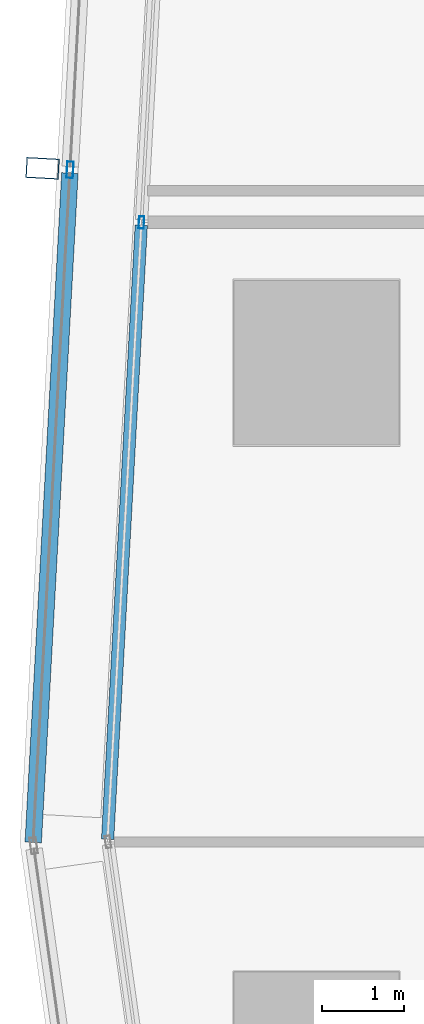
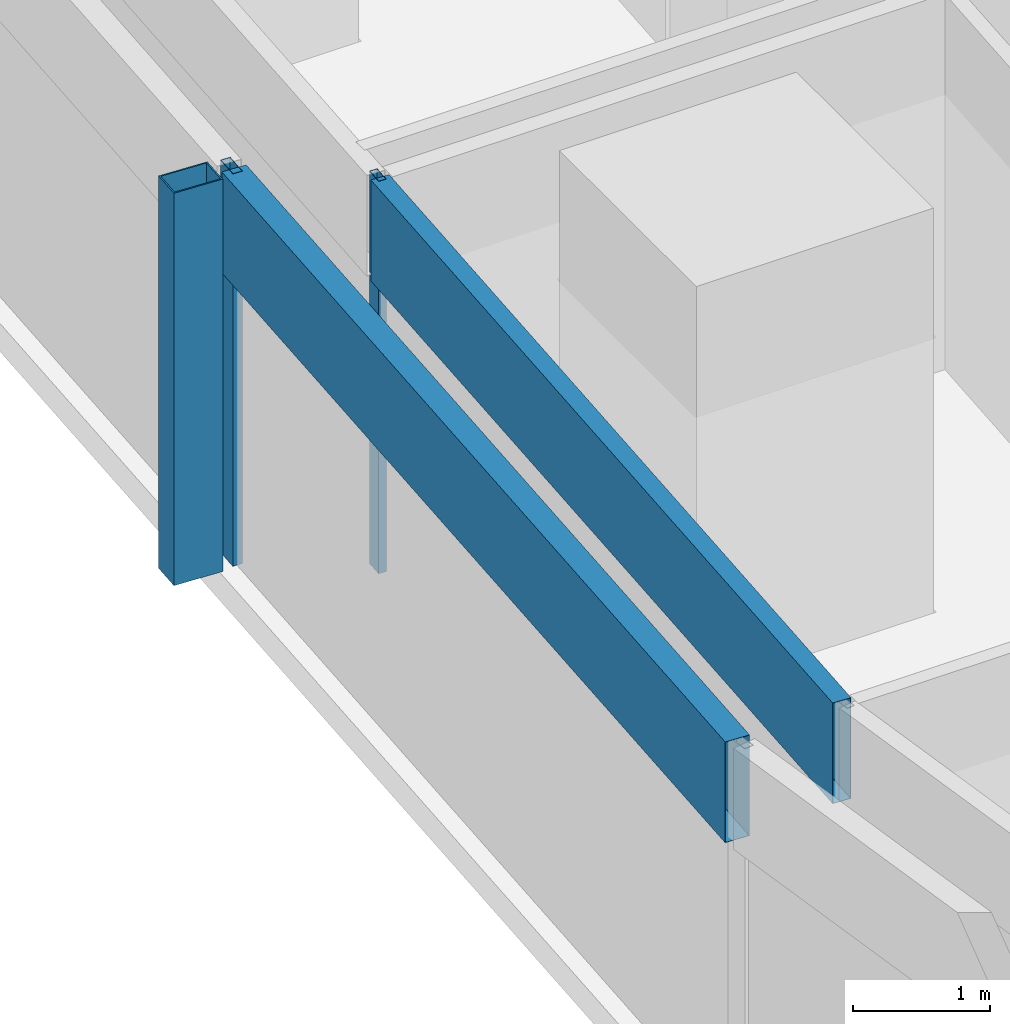
# One storey, part 7 of 39: 5 members, 2 elements without a shape of their own.
"""IFC4 building model written with IfcOpenShell, lengths in metres."""

from ifc_helpers import new_model, si_unit, direction, frame, origin, origin_2d, place, context, subcontext, project, spatial, hollow_rectangle, extrude, material, material_profile, profile_set, type_object, element, aggregate, save


model = new_model("IFC4")

# Units and contexts
model_context = context("Model", 3, precision=1e-05, world=origin(), true_north=direction((0.0, 1.0)))
body_context = subcontext(model_context, "Body", "Model", "MODEL_VIEW")
ifc_project = project(units=[si_unit("LENGTHUNIT", "METRE"), si_unit("AREAUNIT", "SQUARE_METRE"), si_unit("VOLUMEUNIT", "CUBIC_METRE"), si_unit("PLANEANGLEUNIT", "RADIAN"), si_unit("MASSUNIT", "GRAM", prefix="KILO")], contexts=[model_context])

# Site, building, storey
site_placement = place(None, origin())
site = spatial("IfcSite", under=ifc_project, at=site_placement, CompositionType="ELEMENT")
building_placement = place(site_placement, origin())
building = spatial("IfcBuilding", under=site, at=building_placement, Name="Rekha Terrace Tower", CompositionType="ELEMENT")
storey_placement = place(building_placement, frame((0.0, 0.0, 151.550048828125)))
storey = spatial("IfcBuildingStorey", under=building, at=storey_placement, Name="L38", CompositionType="ELEMENT", Elevation=151.550048828125)

# Curtain wall, member
ifc_material_1 = material(Name="Aluminium framing", Category="aluminium")
curtain_wall_type_1 = type_object("IfcCurtainWallType", Name="CW2 double skin outer glazing", PredefinedType="USERDEFINED", material=ifc_material_1)
curtain_wall_1_placement = place(storey_placement, origin())
curtain_wall_1 = element("IfcCurtainWall", 1, at=curtain_wall_1_placement, inside=storey, type_object=curtain_wall_type_1, Name="CW2 double skin outer glazing", ObjectType="DOUBLE SKIN OUTER GLAZING", PredefinedType="USERDEFINED")
ifc_material_2 = material(Name="Steel S355 with fluorocarbon finish", Category="steel")
ifc_material_profile_1 = material_profile(ifc_material_2, hollow_rectangle(XDim=0.25, YDim=0.39990234375, WallThickness=0.012451171875, at=origin_2d()), Name="RHS400x250x12.5")
ifc_profile_set_1 = profile_set([ifc_material_profile_1], Name="Steel S355 with fluorocarbon finish")
member_type_1 = type_object("IfcMemberType", Name="BL1 facade blade RHS 400 x 250", PredefinedType="USERDEFINED", material=ifc_profile_set_1)
member_1_placement = place(storey_placement, frame((5.073974609375, 35.9609375, 0.0), z_axis=(0.0, 0.0, 1.0), x_axis=(-0.054742798353, -0.998500488747, 0.0)))
member_1 = element("IfcMember", 2, at=member_1_placement, type_object=member_type_1, Name="Facade blade", ObjectType="FACADE BLADE", PredefinedType="USERDEFINED", context=body_context, shape_type="SweptSolid", body=[
    extrude(hollow_rectangle(XDim=0.25, YDim=0.39990234375, WallThickness=0.012451171875, at=origin_2d()), origin(), (0.0, 0.0, 1.0), 3.5),
])

# Curtain wall, members
curtain_wall_type_2 = type_object("IfcCurtainWallType", Name="CW1 double skin inner glazing", PredefinedType="USERDEFINED", material=ifc_material_1)
curtain_wall_2_placement = place(storey_placement, origin())
curtain_wall_2 = element("IfcCurtainWall", 3, at=curtain_wall_2_placement, inside=storey, type_object=curtain_wall_type_2, Name="CW1 double skin inner glazing", ObjectType="DOUBLE SKIN INNER GLAZING", PredefinedType="USERDEFINED")
ifc_material_3 = material(Name="Aluminium mullion section", Category="aluminium")
ifc_material_profile_2 = material_profile(ifc_material_3, hollow_rectangle(XDim=0.06494140625, YDim=0.14990234375, WallThickness=0.00390625, at=origin_2d()), Name="AL RHS 65x150")
ifc_profile_set_2 = profile_set([ifc_material_profile_2], Name="Aluminium mullion section")
member_type_2 = type_object("IfcMemberType", Name="CW1 mullion RHS 65 x 150", PredefinedType="MULLION", material=ifc_profile_set_2)
member_2_placement = place(storey_placement, frame((6.274658203125, 35.3037109375, 0.0), z_axis=(0.0, 0.0, 1.0), x_axis=(0.99850051318, -0.054742352707, 0.0)))
member_2 = element("IfcMember", 4, at=member_2_placement, type_object=member_type_2, Name="CW1 mullion 4", PredefinedType="MULLION", context=body_context, shape_type="SweptSolid", body=[
    extrude(hollow_rectangle(XDim=0.06494140625, YDim=0.14990234375, WallThickness=0.00390625, at=origin_2d()), origin(), (0.0, 0.0, 1.0), 3.5),
])
ifc_material_4 = material(Name="Insulated aluminium spandrel box", Category="aluminium")
ifc_material_profile_3 = material_profile(ifc_material_4, hollow_rectangle(XDim=0.14990234375, YDim=0.89990234375, WallThickness=0.0029296875, at=origin_2d()), Name="AL SPANDREL BOX 150x900")
ifc_profile_set_3 = profile_set([ifc_material_profile_3], Name="Insulated aluminium spandrel box")
member_type_3 = type_object("IfcMemberType", Name="CW1 spandrel transom 150 x 900", PredefinedType="USERDEFINED", material=ifc_profile_set_3)
member_3_placement = place(storey_placement, frame((6.27294921875, 35.271240234375, 3.050048828125), z_axis=(-0.054751286186, -0.998500023366, 0.0), x_axis=(0.998500023366, -0.054751286186, 0.0)))
member_3 = element("IfcMember", 5, at=member_3_placement, type_object=member_type_3, Name="CW1 spandrel transom 4", ObjectType="TRANSOM", PredefinedType="USERDEFINED", context=body_context, shape_type="SweptSolid", body=[
    extrude(hollow_rectangle(XDim=0.14990234375, YDim=0.89990234375, WallThickness=0.0029296875, at=origin_2d()), origin(), (0.0, 0.0, 1.0), 7.468994140625),
])
aggregate(curtain_wall_2, [member_2, member_3])

# Member
ifc_material_profile_4 = material_profile(ifc_material_3, hollow_rectangle(XDim=0.080078125, YDim=0.199951171875, WallThickness=0.00390625, at=origin_2d()), Name="AL RHS 80x200")
ifc_profile_set_4 = profile_set([ifc_material_profile_4], Name="Aluminium mullion section")
member_type_4 = type_object("IfcMemberType", Name="CW2 mullion RHS 80 x 200", PredefinedType="MULLION", material=ifc_profile_set_4)
member_4_placement = place(storey_placement, frame((5.408447265625, 35.942626953125, 0.0), z_axis=(0.0, 0.0, 1.0), x_axis=(0.99850051318, -0.054742352707, 0.0)))
member_4 = element("IfcMember", 6, at=member_4_placement, type_object=member_type_4, Name="CW2 mullion 4", PredefinedType="MULLION", context=body_context, shape_type="SweptSolid", body=[
    extrude(hollow_rectangle(XDim=0.080078125, YDim=0.199951171875, WallThickness=0.00390625, at=origin_2d()), origin(), (0.0, 0.0, 1.0), 3.5),
])

ifc_material_profile_5 = material_profile(ifc_material_4, hollow_rectangle(XDim=0.199951171875, YDim=0.89990234375, WallThickness=0.0029296875, at=origin_2d()), Name="AL SPANDREL BOX 200x900")
ifc_profile_set_5 = profile_set([ifc_material_profile_5], Name="Insulated aluminium spandrel box")
member_type_5 = type_object("IfcMemberType", Name="CW2 spandrel transom 200 x 900", PredefinedType="USERDEFINED", material=ifc_profile_set_5)
member_5_placement = place(storey_placement, frame((5.40625, 35.902587890625, 3.050048828125), z_axis=(-0.054737434401, -0.998500782812, 0.0), x_axis=(0.998500782812, -0.054737434401, 0.0)))
member_5 = element("IfcMember", 7, at=member_5_placement, type_object=member_type_5, Name="CW2 spandrel transom 4", ObjectType="TRANSOM", PredefinedType="USERDEFINED", context=body_context, shape_type="SweptSolid", body=[
    extrude(hollow_rectangle(XDim=0.199951171875, YDim=0.89990234375, WallThickness=0.0029296875, at=origin_2d()), origin(), (0.0, 0.0, 1.0), 8.139892578125),
])

aggregate(curtain_wall_1, [member_4, member_5, member_1])

save(model, "model.ifc")
